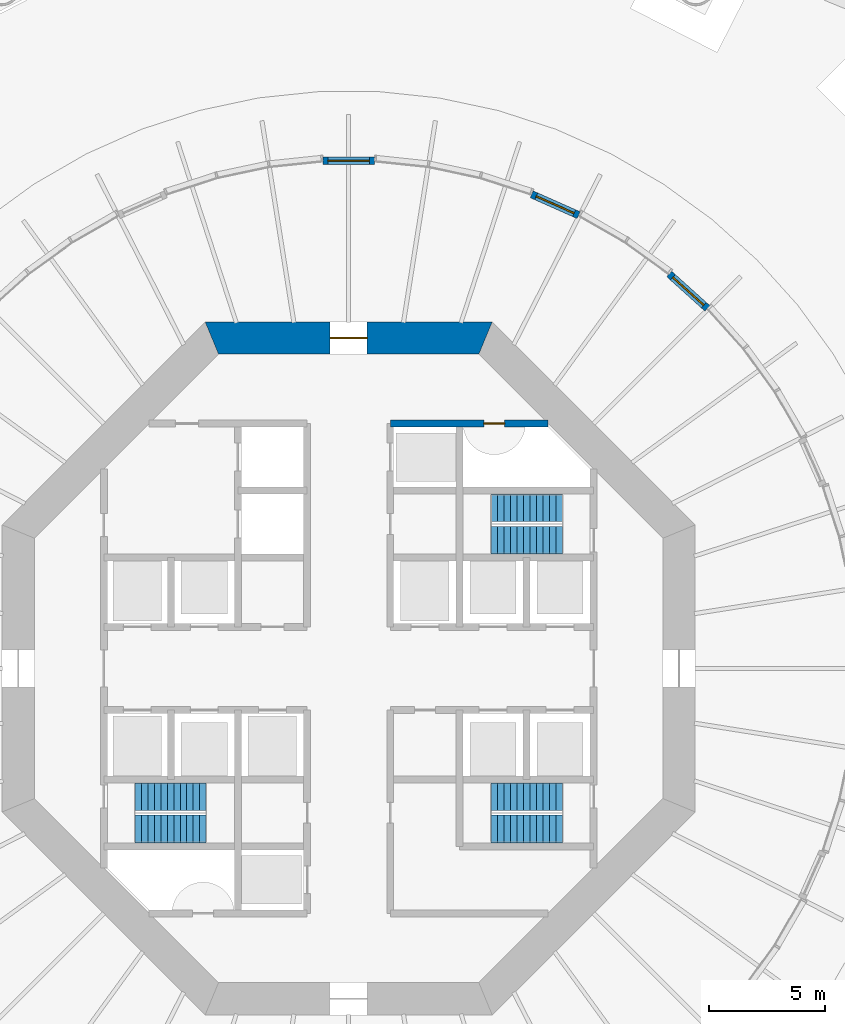
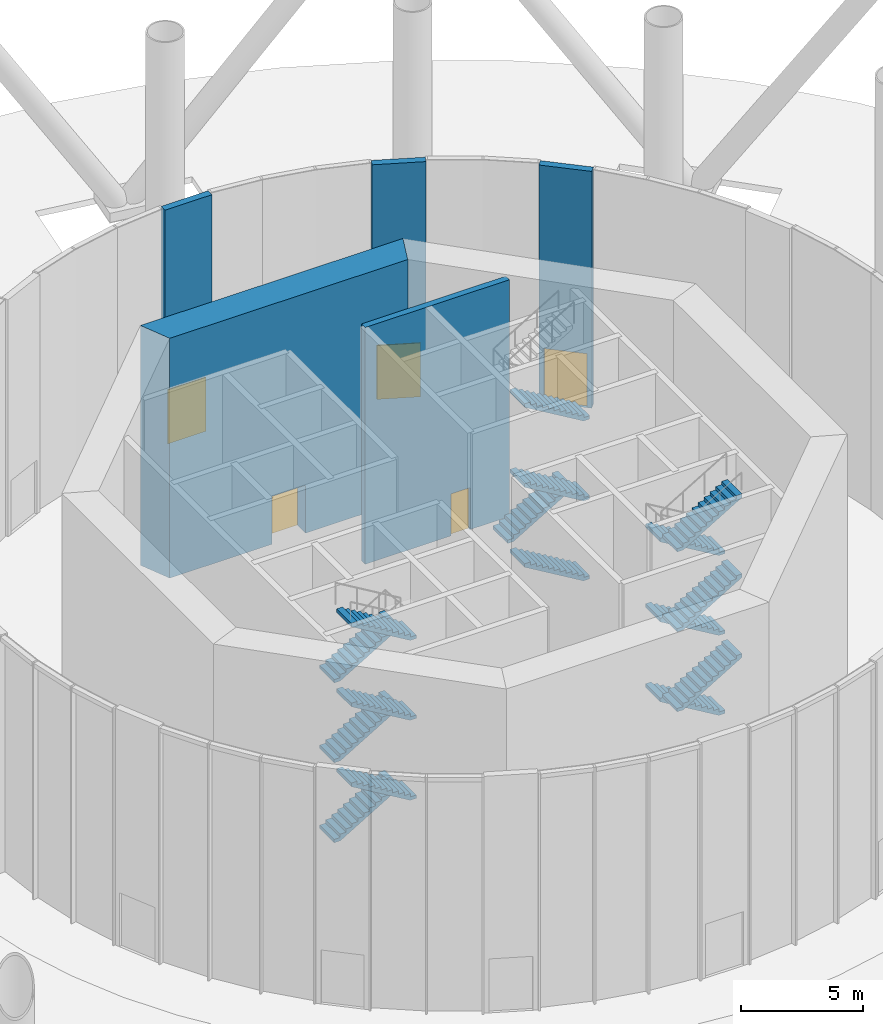
# One storey, part 6 of 12: 16 stair flights, 5 doors, 5 walls, 5 openings, 3 elements without a shape of their own.
"""IFC4 building model written with IfcOpenShell, lengths in metres."""

from ifc_helpers import new_model, si_unit, direction, frame, frame_2d, origin, place, context, subcontext, project, spatial, polyline, rectangle, outline, extrude, material, layer, layer_set, type_object, element, fill, aggregate, save


model = new_model("IFC4")

# Units and contexts
model_context = context("Model", 3, precision=1e-05, world=origin(), true_north=direction((0.0, 1.0)))
body_context = subcontext(model_context, "Body", "Model", "MODEL_VIEW")
ifc_project = project(units=[si_unit("LENGTHUNIT", "METRE"), si_unit("AREAUNIT", "SQUARE_METRE"), si_unit("VOLUMEUNIT", "CUBIC_METRE"), si_unit("PLANEANGLEUNIT", "RADIAN"), si_unit("MASSUNIT", "GRAM", prefix="KILO")], contexts=[model_context])

# Site, building, storey
site_placement = place(None, origin())
site = spatial("IfcSite", under=ifc_project, at=site_placement, CompositionType="ELEMENT")
building_placement = place(site_placement, origin())
building = spatial("IfcBuilding", under=site, at=building_placement, Name="Entoto Ring Tower", CompositionType="ELEMENT")
storey_placement = place(building_placement, origin())
storey = spatial("IfcBuildingStorey", under=building, at=storey_placement, Name="L00", CompositionType="ELEMENT", Elevation=0.0)

# Wall, opening, door
ifc_material_1 = material(Name="Concrete C40/50", Category="concrete")
ifc_layer_1 = layer(ifc_material_1, 0.300048828125)
ifc_layer_set_1 = layer_set([ifc_layer_1], Name="Concrete C40/50")
wall_type_1 = type_object("IfcWallType", Name="Core enclosure wall 300 mm reinforced concrete", PredefinedType="SOLIDWALL", material=ifc_layer_set_1)
wall_1_placement = place(storey_placement, frame((91.800048828125, 90.60009765625, 0.0), z_axis=(0.0, 0.0, 1.0), x_axis=(1.0, 0.0, 0.0)))
wall_1 = element("IfcWall", 1, at=wall_1_placement, inside=storey, type_object=wall_type_1, Name="wall-L00-030", PredefinedType="SOLIDWALL", context=body_context, shape_type="SweptSolid", body=[
    extrude(rectangle(XDim=6.833251953125, YDim=0.300048828125, at=frame_2d((3.41650390625, 0.0))), origin(), (0.0, 0.0, 1.0), 11.85009765625),
])
opening_1_placement = place(wall_1_placement, frame((4.050048828125, 0.0, 0.0)))
opening_1 = element("IfcOpeningElement", 2, at=opening_1_placement, cuts=wall_1, Name="Opening K-75", PredefinedType="OPENING", context=body_context, shape_type="SweptSolid", body=[
    extrude(rectangle(XDim=0.89990234375, YDim=2.10009765625, at=frame_2d((0.449951171875, 1.050048828125))), frame((0.0, 0.16015625, 0.0), z_axis=(0.0, -1.0, 0.0), x_axis=(1.0, 0.0, 0.0)), (0.0, 0.0, 1.0), 0.320068359375),
])
ifc_material_2 = material(Name="Steel door leaf, fire rated", Category="steel")
ifc_layer_2 = layer(ifc_material_2, 0.050048828125)
ifc_layer_set_2 = layer_set([ifc_layer_2], Name="Steel door leaf, fire rated")
door_type_1 = type_object("IfcDoorType", Name="Riser door FD60 900 x 2100 single leaf", OperationType="NOTDEFINED", PredefinedType="DOOR", material=ifc_layer_set_2)
door_1_placement = place(opening_1_placement, frame((0.89990234375, 0.0, 0.0), z_axis=(0.0, 0.0, 1.0), x_axis=(-1.0, 0.0, 0.0)))
door_1 = element("IfcDoor", 3, at=door_1_placement, inside=storey, type_object=door_type_1, Name="Door K-75", OperationType="SINGLE_SWING_RIGHT", OverallHeight=2.10009765625, OverallWidth=0.89990234375, PredefinedType="DOOR", context=body_context, shape_type="SweptSolid", body=[
    extrude(rectangle(XDim=0.89990234375, YDim=2.10009765625, at=frame_2d((0.449951171875, 1.050048828125))), frame((0.0, 0.02490234375, 0.0), z_axis=(0.0, -1.0, 0.0), x_axis=(1.0, 0.0, 0.0)), (0.0, 0.0, 1.0), 0.050048828125),
])
fill(opening_1, door_1)

ifc_material_3 = material(Name="Concrete C60/75", Category="concrete")
ifc_layer_3 = layer(ifc_material_3, 1.39990234375)
ifc_layer_set_3 = layer_set([ifc_layer_3], Name="Concrete C60/75")
wall_type_2 = type_object("IfcWallType", Name="Core shear wall 1400 mm reinforced concrete C60/75", PredefinedType="SHEAR", material=ifc_layer_set_3)
wall_2_placement = place(storey_placement, frame((95.92333984375, 94.300048828125, 0.0), z_axis=(0.0, 0.0, 1.0), x_axis=(-1.0, 0.0, 0.0)))
wall_2 = element("IfcWall", 4, at=wall_2_placement, inside=storey, type_object=wall_type_2, Name="wall-L00-core-2", PredefinedType="SHEAR", context=body_context, shape_type="SweptSolid", body=[
    extrude(outline(polyline([(-0.2900390625, -0.699951171875), (12.13671875, -0.699951171875), (11.556640625, 0.699951171875), (0.2900390625, 0.699951171875), (-0.2900390625, -0.699951171875)])), origin(), (0.0, 0.0, 1.0), 12.0),
])
opening_2_placement = place(wall_2_placement, frame((5.123291015625, 0.0, 0.0)))
opening_2 = element("IfcOpeningElement", 5, at=opening_2_placement, cuts=wall_2, Name="Opening K-02", PredefinedType="OPENING", context=body_context, shape_type="SweptSolid", body=[
    extrude(rectangle(XDim=1.60009765625, YDim=2.39990234375, at=frame_2d((0.800048828125, 1.199951171875))), frame((0.0, 0.7099609375, 0.0), z_axis=(0.0, -1.0, 0.0), x_axis=(1.0, 0.0, 0.0)), (0.0, 0.0, 1.0), 1.419921875),
])
ifc_material_4 = material(Name="Steel door leaf, fire rated", Category="steel")
ifc_layer_4 = layer(ifc_material_4, 0.050048828125)
ifc_layer_set_4 = layer_set([ifc_layer_4], Name="Steel door leaf, fire rated")
door_type_2 = type_object("IfcDoorType", Name="Entrance door FD60 1600 x 2400 double leaf", OperationType="DOUBLE_DOOR_SINGLE_SWING", PredefinedType="DOOR", material=ifc_layer_set_4)
door_2_placement = place(opening_2_placement, origin())
door_2 = element("IfcDoor", 6, at=door_2_placement, inside=storey, type_object=door_type_2, Name="Entrance door K-02", OperationType="DOUBLE_DOOR_SINGLE_SWING", OverallHeight=2.39990234375, OverallWidth=1.60009765625, PredefinedType="DOOR", context=body_context, shape_type="SweptSolid", body=[
    extrude(rectangle(XDim=1.60009765625, YDim=2.39990234375, at=frame_2d((0.800048828125, 1.199951171875))), frame((0.0, 0.02490234375, 0.0), z_axis=(0.0, -1.0, 0.0), x_axis=(1.0, 0.0, 0.0)), (0.0, 0.0, 1.0), 0.050048828125),
])
fill(opening_2, door_2)

ifc_material_5 = material(Name="Trachyte stone cladding", Category="masonry")
ifc_layer_5 = layer(ifc_material_5, 0.06005859375)
ifc_material_6 = material(Name="Concrete C40/50", Category="concrete")
ifc_layer_6 = layer(ifc_material_6, 0.260009765625)
ifc_layer_set_5 = layer_set([ifc_layer_5, ifc_layer_6], Name="Trachyte stone cladding")
wall_type_3 = type_object("IfcWallType", Name="Entrance pier 320 mm trachyte-clad", PredefinedType="STANDARD", material=ifc_layer_set_5)
wall_3_placement = place(storey_placement, frame((105.526611328125, 95.5830078125, 0.0), z_axis=(0.0, 0.0, 1.0), x_axis=(-0.743097515625, 0.669183145537, 0.0)))
wall_3 = element("IfcWall", 7, at=wall_3_placement, inside=storey, type_object=wall_type_3, Name="ENTRANCE PIER 2", PredefinedType="STANDARD", context=body_context, shape_type="SweptSolid", body=[
    extrude(rectangle(XDim=2.222900390625, YDim=0.320068359375, at=frame_2d((1.111328125, 0.0))), origin(), (0.0, 0.0, 1.0), 11.85009765625),
])
opening_3_placement = place(wall_3_placement, frame((0.21142578125, 0.0, 0.0)))
opening_3 = element("IfcOpeningElement", 8, at=opening_3_placement, cuts=wall_3, Name="Opening E2", PredefinedType="OPENING", context=body_context, shape_type="SweptSolid", body=[
    extrude(rectangle(XDim=1.800048828125, YDim=2.699951171875, at=frame_2d((0.89990234375, 1.35009765625))), frame((0.0, 0.169921875, 0.0), z_axis=(0.0, -1.0, 0.0), x_axis=(1.0, 0.0, 0.0)), (0.0, 0.0, 1.0), 0.340087890625),
])
ifc_material_7 = material(Name="Anodised aluminium frame with toughened clear glass", Category="aluminium")
door_type_3 = type_object("IfcDoorType", Name="Entrance door set 1800 x 2700 mm sliding", OperationType="DOUBLE_DOOR_SLIDING", PredefinedType="DOOR", material=ifc_material_7)
door_3_placement = place(opening_3_placement, frame((1.800048828125, 0.0, 0.0), z_axis=(0.0, 0.0, 1.0), x_axis=(-1.0, 0.0, 0.0)))
door_3 = element("IfcDoor", 9, at=door_3_placement, inside=storey, type_object=door_type_3, Name="ENTRANCE DOOR 2", OperationType="DOUBLE_DOOR_SLIDING", OverallHeight=2.699951171875, OverallWidth=1.800048828125, PredefinedType="DOOR", context=body_context, shape_type="SweptSolid", body=[
    extrude(rectangle(XDim=1.800048828125, YDim=2.699951171875, at=frame_2d((0.89990234375, 1.35009765625))), frame((0.0, 0.02490234375, 0.0), z_axis=(0.0, -1.0, 0.0), x_axis=(1.0, 0.0, 0.0)), (0.0, 0.0, 1.0), 0.050048828125),
])
fill(opening_3, door_3)

wall_4_placement = place(storey_placement, frame((99.951171875, 99.618408203125, 0.0), z_axis=(0.0, 0.0, 1.0), x_axis=(-0.913544109793, 0.406739670382, 0.0)))
wall_4 = element("IfcWall", 10, at=wall_4_placement, inside=storey, type_object=wall_type_3, Name="ENTRANCE PIER 3", PredefinedType="STANDARD", context=body_context, shape_type="SweptSolid", body=[
    extrude(rectangle(XDim=2.22265625, YDim=0.320068359375, at=frame_2d((1.111328125, 0.0))), origin(), (0.0, 0.0, 1.0), 11.85009765625),
])
opening_4_placement = place(wall_4_placement, frame((0.21142578125, 0.0, 0.0)))
opening_4 = element("IfcOpeningElement", 11, at=opening_4_placement, cuts=wall_4, Name="Opening E3", PredefinedType="OPENING", context=body_context, shape_type="SweptSolid", body=[
    extrude(rectangle(XDim=1.800048828125, YDim=2.699951171875, at=frame_2d((0.89990234375, 1.35009765625))), frame((0.0, 0.169921875, 0.0), z_axis=(0.0, -1.0, 0.0), x_axis=(1.0, 0.0, 0.0)), (0.0, 0.0, 1.0), 0.340087890625),
])
door_4_placement = place(opening_4_placement, frame((1.800048828125, 0.0, 0.0), z_axis=(0.0, 0.0, 1.0), x_axis=(-1.0, 0.0, 0.0)))
door_4 = element("IfcDoor", 12, at=door_4_placement, inside=storey, type_object=door_type_3, Name="ENTRANCE DOOR 3", OperationType="DOUBLE_DOOR_SLIDING", OverallHeight=2.699951171875, OverallWidth=1.800048828125, PredefinedType="DOOR", context=body_context, shape_type="SweptSolid", body=[
    extrude(rectangle(XDim=1.800048828125, YDim=2.699951171875, at=frame_2d((0.89990234375, 1.35009765625))), frame((0.0, 0.02490234375, 0.0), z_axis=(0.0, -1.0, 0.0), x_axis=(1.0, 0.0, 0.0)), (0.0, 0.0, 1.0), 0.050048828125),
])
fill(opening_4, door_4)

wall_5_placement = place(storey_placement, frame((91.111328125, 101.969970703125, 0.0), z_axis=(0.0, 0.0, 1.0), x_axis=(-1.0, 0.0, 0.0)))
wall_5 = element("IfcWall", 13, at=wall_5_placement, inside=storey, type_object=wall_type_3, Name="ENTRANCE PIER 4", PredefinedType="STANDARD", context=body_context, shape_type="SweptSolid", body=[
    extrude(rectangle(XDim=2.22265625, YDim=0.320068359375, at=frame_2d((1.111328125, 0.0))), origin(), (0.0, 0.0, 1.0), 11.85009765625),
])
opening_5_placement = place(wall_5_placement, frame((0.21142578125, 0.0, 0.0)))
opening_5 = element("IfcOpeningElement", 14, at=opening_5_placement, cuts=wall_5, Name="Opening E4", PredefinedType="OPENING", context=body_context, shape_type="SweptSolid", body=[
    extrude(rectangle(XDim=1.800048828125, YDim=2.699951171875, at=frame_2d((0.89990234375, 1.35009765625))), frame((0.0, 0.169921875, 0.0), z_axis=(0.0, -1.0, 0.0), x_axis=(1.0, 0.0, 0.0)), (0.0, 0.0, 1.0), 0.340087890625),
])
door_5_placement = place(opening_5_placement, frame((1.800048828125, 0.0, 0.0), z_axis=(0.0, 0.0, 1.0), x_axis=(-1.0, 0.0, 0.0)))
door_5 = element("IfcDoor", 15, at=door_5_placement, inside=storey, type_object=door_type_3, Name="ENTRANCE DOOR 4", OperationType="DOUBLE_DOOR_SLIDING", OverallHeight=2.699951171875, OverallWidth=1.800048828125, PredefinedType="DOOR", context=body_context, shape_type="SweptSolid", body=[
    extrude(rectangle(XDim=1.800048828125, YDim=2.699951171875, at=frame_2d((0.89990234375, 1.35009765625))), frame((0.0, 0.02490234375, 0.0), z_axis=(0.0, -1.0, 0.0), x_axis=(1.0, 0.0, 0.0)), (0.0, 0.0, 1.0), 0.050048828125),
])
fill(opening_5, door_5)

# Stair, stair flights
ifc_material_8 = material(Name="Concrete C40/50", Category="concrete")
stair_type = type_object("IfcStairType", Name="Exit stair 1200 mm dog-leg reinforced concrete", PredefinedType="HALF_TURN_STAIR", material=ifc_material_8)
stair_1_placement = place(storey_placement, origin())
stair_1 = element("IfcStair", 16, at=stair_1_placement, inside=storey, type_object=stair_type, Name="Exit stair 1", PredefinedType="HALF_TURN_STAIR")
ifc_material_9 = material(Name="Concrete C40/50", Category="concrete")
stair_flight_type = type_object("IfcStairFlightType", Name="Stair flight 1200 mm reinforced concrete", PredefinedType="STRAIGHT", material=ifc_material_9)
stair_flight_1_placement = place(storey_placement, frame((99.25, 85.550048828125, 0.0), z_axis=(0.0, 0.0, 1.0), x_axis=(-1.0, 0.0, 0.0)))
stair_flight_1 = element("IfcStairFlight", 17, at=stair_flight_1_placement, type_object=stair_flight_type, Name="ST1 flight 1", NumberOfRisers=12, NumberOfTreads=11, PredefinedType="STRAIGHT", RiserHeight=0.166666667, TreadLength=0.28, context=body_context, shape_type="SweptSolid", body=[
    extrude(outline(polyline([(0.0, 0.0), (0.0, 0.166748046875), (0.280029296875, 0.166748046875), (0.280029296875, 0.333251953125), (0.56005859375, 0.333251953125), (0.56005859375, 0.5), (0.840087890625, 0.5), (0.840087890625, 0.666748046875), (1.1201171875, 0.666748046875), (1.1201171875, 0.833251953125), (1.39990234375, 0.833251953125), (1.39990234375, 1.0), (1.679931640625, 1.0), (1.679931640625, 1.166748046875), (1.9599609375, 1.166748046875), (1.9599609375, 1.333251953125), (2.239990234375, 1.333251953125), (2.239990234375, 1.5), (2.52001953125, 1.5), (2.52001953125, 1.666748046875), (2.800048828125, 1.666748046875), (2.800048828125, 1.833251953125), (3.080078125, 1.833251953125), (3.080078125, 2.0), (3.080078125, 1.658935546875), (0.29296875, 0.0), (0.0, 0.0)])), frame((0.0, 0.60009765625, 0.0), z_axis=(0.0, -1.0, 0.0), x_axis=(1.0, 0.0, 0.0)), (0.0, 0.0, 1.0), 1.199951171875),
])
stair_flight_2_placement = place(storey_placement, frame((96.169921875, 86.949951171875, 2.0), z_axis=(0.0, 0.0, 1.0), x_axis=(1.0, 0.0, 0.0)))
stair_flight_2 = element("IfcStairFlight", 18, at=stair_flight_2_placement, type_object=stair_flight_type, Name="ST1 flight 2", NumberOfRisers=12, NumberOfTreads=11, PredefinedType="STRAIGHT", RiserHeight=0.166666667, TreadLength=0.28, context=body_context, shape_type="SweptSolid", body=[
    extrude(outline(polyline([(0.0, 0.0), (0.0, 0.166748046875), (0.280029296875, 0.166748046875), (0.280029296875, 0.333251953125), (0.56005859375, 0.333251953125), (0.56005859375, 0.5), (0.840087890625, 0.5), (0.840087890625, 0.666748046875), (1.1201171875, 0.666748046875), (1.1201171875, 0.833251953125), (1.39990234375, 0.833251953125), (1.39990234375, 1.0), (1.679931640625, 1.0), (1.679931640625, 1.166748046875), (1.9599609375, 1.166748046875), (1.9599609375, 1.333251953125), (2.239990234375, 1.333251953125), (2.239990234375, 1.5), (2.52001953125, 1.5), (2.52001953125, 1.666748046875), (2.800048828125, 1.666748046875), (2.800048828125, 1.833251953125), (3.080078125, 1.833251953125), (3.080078125, 2.0), (3.080078125, 1.658935546875), (0.29296875, 0.0), (0.0, 0.0)])), frame((0.0, 0.60009765625, 0.0), z_axis=(0.0, -1.0, 0.0), x_axis=(1.0, 0.0, 0.0)), (0.0, 0.0, 1.0), 1.199951171875),
])
stair_flight_3_placement = place(storey_placement, frame((99.25, 85.550048828125, 4.0), z_axis=(0.0, 0.0, 1.0), x_axis=(-1.0, 0.0, 0.0)))
stair_flight_3 = element("IfcStairFlight", 19, at=stair_flight_3_placement, type_object=stair_flight_type, Name="ST1 flight 3", NumberOfRisers=12, NumberOfTreads=11, PredefinedType="STRAIGHT", RiserHeight=0.166666667, TreadLength=0.28, context=body_context, shape_type="SweptSolid", body=[
    extrude(outline(polyline([(0.0, 0.0), (0.0, 0.166748046875), (0.280029296875, 0.166748046875), (0.280029296875, 0.333251953125), (0.56005859375, 0.333251953125), (0.56005859375, 0.5), (0.840087890625, 0.5), (0.840087890625, 0.666748046875), (1.1201171875, 0.666748046875), (1.1201171875, 0.833251953125), (1.39990234375, 0.833251953125), (1.39990234375, 1.0), (1.679931640625, 1.0), (1.679931640625, 1.166748046875), (1.9599609375, 1.166748046875), (1.9599609375, 1.333251953125), (2.239990234375, 1.333251953125), (2.239990234375, 1.5), (2.52001953125, 1.5), (2.52001953125, 1.666748046875), (2.800048828125, 1.666748046875), (2.800048828125, 1.833251953125), (3.080078125, 1.833251953125), (3.080078125, 2.0), (3.080078125, 1.658935546875), (0.29296875, 0.0), (0.0, 0.0)])), frame((0.0, 0.60009765625, 0.0), z_axis=(0.0, -1.0, 0.0), x_axis=(1.0, 0.0, 0.0)), (0.0, 0.0, 1.0), 1.199951171875),
])
stair_flight_4_placement = place(storey_placement, frame((99.25, 85.550048828125, 8.0), z_axis=(0.0, 0.0, 1.0), x_axis=(-1.0, 0.0, 0.0)))
stair_flight_4 = element("IfcStairFlight", 20, at=stair_flight_4_placement, type_object=stair_flight_type, Name="ST1 flight 5", NumberOfRisers=12, NumberOfTreads=11, PredefinedType="STRAIGHT", RiserHeight=0.166666667, TreadLength=0.28, context=body_context, shape_type="SweptSolid", body=[
    extrude(outline(polyline([(0.0, 0.0), (0.0, 0.166748046875), (0.280029296875, 0.166748046875), (0.280029296875, 0.333251953125), (0.56005859375, 0.333251953125), (0.56005859375, 0.5), (0.840087890625, 0.5), (0.840087890625, 0.666748046875), (1.1201171875, 0.666748046875), (1.1201171875, 0.833251953125), (1.39990234375, 0.833251953125), (1.39990234375, 1.0), (1.679931640625, 1.0), (1.679931640625, 1.166748046875), (1.9599609375, 1.166748046875), (1.9599609375, 1.333251953125), (2.239990234375, 1.333251953125), (2.239990234375, 1.5), (2.52001953125, 1.5), (2.52001953125, 1.666748046875), (2.800048828125, 1.666748046875), (2.800048828125, 1.833251953125), (3.080078125, 1.833251953125), (3.080078125, 2.0), (3.080078125, 1.658935546875), (0.29296875, 0.0), (0.0, 0.0)])), frame((0.0, 0.60009765625, 0.0), z_axis=(0.0, -1.0, 0.0), x_axis=(1.0, 0.0, 0.0)), (0.0, 0.0, 1.0), 1.199951171875),
])
aggregate(stair_1, [stair_flight_1, stair_flight_2, stair_flight_3, stair_flight_4])

stair_2_placement = place(storey_placement, origin())
stair_2 = element("IfcStair", 21, at=stair_2_placement, inside=storey, type_object=stair_type, Name="Exit stair 2", PredefinedType="HALF_TURN_STAIR")
stair_flight_5_placement = place(storey_placement, frame((80.75, 74.449951171875, 0.0), z_axis=(0.0, 0.0, 1.0), x_axis=(1.0, 0.0, 0.0)))
stair_flight_5 = element("IfcStairFlight", 22, at=stair_flight_5_placement, type_object=stair_flight_type, Name="ST2 flight 1", NumberOfRisers=12, NumberOfTreads=11, PredefinedType="STRAIGHT", RiserHeight=0.166666667, TreadLength=0.28, context=body_context, shape_type="SweptSolid", body=[
    extrude(outline(polyline([(0.0, 0.0), (0.0, 0.166748046875), (0.280029296875, 0.166748046875), (0.280029296875, 0.333251953125), (0.56005859375, 0.333251953125), (0.56005859375, 0.5), (0.840087890625, 0.5), (0.840087890625, 0.666748046875), (1.1201171875, 0.666748046875), (1.1201171875, 0.833251953125), (1.39990234375, 0.833251953125), (1.39990234375, 1.0), (1.679931640625, 1.0), (1.679931640625, 1.166748046875), (1.9599609375, 1.166748046875), (1.9599609375, 1.333251953125), (2.239990234375, 1.333251953125), (2.239990234375, 1.5), (2.52001953125, 1.5), (2.52001953125, 1.666748046875), (2.800048828125, 1.666748046875), (2.800048828125, 1.833251953125), (3.080078125, 1.833251953125), (3.080078125, 2.0), (3.080078125, 1.658935546875), (0.29296875, 0.0), (0.0, 0.0)])), frame((0.0, 0.60009765625, 0.0), z_axis=(0.0, -1.0, 0.0), x_axis=(1.0, 0.0, 0.0)), (0.0, 0.0, 1.0), 1.199951171875),
])
stair_flight_6_placement = place(storey_placement, frame((83.830078125, 73.050048828125, 2.0), z_axis=(0.0, 0.0, 1.0), x_axis=(-1.0, 0.0, 0.0)))
stair_flight_6 = element("IfcStairFlight", 23, at=stair_flight_6_placement, type_object=stair_flight_type, Name="ST2 flight 2", NumberOfRisers=12, NumberOfTreads=11, PredefinedType="STRAIGHT", RiserHeight=0.166666667, TreadLength=0.28, context=body_context, shape_type="SweptSolid", body=[
    extrude(outline(polyline([(0.0, 0.0), (0.0, 0.166748046875), (0.280029296875, 0.166748046875), (0.280029296875, 0.333251953125), (0.56005859375, 0.333251953125), (0.56005859375, 0.5), (0.840087890625, 0.5), (0.840087890625, 0.666748046875), (1.1201171875, 0.666748046875), (1.1201171875, 0.833251953125), (1.39990234375, 0.833251953125), (1.39990234375, 1.0), (1.679931640625, 1.0), (1.679931640625, 1.166748046875), (1.9599609375, 1.166748046875), (1.9599609375, 1.333251953125), (2.239990234375, 1.333251953125), (2.239990234375, 1.5), (2.52001953125, 1.5), (2.52001953125, 1.666748046875), (2.800048828125, 1.666748046875), (2.800048828125, 1.833251953125), (3.080078125, 1.833251953125), (3.080078125, 2.0), (3.080078125, 1.658935546875), (0.29296875, 0.0), (0.0, 0.0)])), frame((0.0, 0.60009765625, 0.0), z_axis=(0.0, -1.0, 0.0), x_axis=(1.0, 0.0, 0.0)), (0.0, 0.0, 1.0), 1.199951171875),
])
stair_flight_7_placement = place(storey_placement, frame((80.75, 74.449951171875, 4.0), z_axis=(0.0, 0.0, 1.0), x_axis=(1.0, 0.0, 0.0)))
stair_flight_7 = element("IfcStairFlight", 24, at=stair_flight_7_placement, type_object=stair_flight_type, Name="ST2 flight 3", NumberOfRisers=12, NumberOfTreads=11, PredefinedType="STRAIGHT", RiserHeight=0.166666667, TreadLength=0.28, context=body_context, shape_type="SweptSolid", body=[
    extrude(outline(polyline([(0.0, 0.0), (0.0, 0.166748046875), (0.280029296875, 0.166748046875), (0.280029296875, 0.333251953125), (0.56005859375, 0.333251953125), (0.56005859375, 0.5), (0.840087890625, 0.5), (0.840087890625, 0.666748046875), (1.1201171875, 0.666748046875), (1.1201171875, 0.833251953125), (1.39990234375, 0.833251953125), (1.39990234375, 1.0), (1.679931640625, 1.0), (1.679931640625, 1.166748046875), (1.9599609375, 1.166748046875), (1.9599609375, 1.333251953125), (2.239990234375, 1.333251953125), (2.239990234375, 1.5), (2.52001953125, 1.5), (2.52001953125, 1.666748046875), (2.800048828125, 1.666748046875), (2.800048828125, 1.833251953125), (3.080078125, 1.833251953125), (3.080078125, 2.0), (3.080078125, 1.658935546875), (0.29296875, 0.0), (0.0, 0.0)])), frame((0.0, 0.60009765625, 0.0), z_axis=(0.0, -1.0, 0.0), x_axis=(1.0, 0.0, 0.0)), (0.0, 0.0, 1.0), 1.199951171875),
])
stair_flight_8_placement = place(storey_placement, frame((83.830078125, 73.050048828125, 6.0), z_axis=(0.0, 0.0, 1.0), x_axis=(-1.0, 0.0, 0.0)))
stair_flight_8 = element("IfcStairFlight", 25, at=stair_flight_8_placement, type_object=stair_flight_type, Name="ST2 flight 4", NumberOfRisers=12, NumberOfTreads=11, PredefinedType="STRAIGHT", RiserHeight=0.166666667, TreadLength=0.28, context=body_context, shape_type="SweptSolid", body=[
    extrude(outline(polyline([(0.0, 0.0), (0.0, 0.166748046875), (0.280029296875, 0.166748046875), (0.280029296875, 0.333251953125), (0.56005859375, 0.333251953125), (0.56005859375, 0.5), (0.840087890625, 0.5), (0.840087890625, 0.666748046875), (1.1201171875, 0.666748046875), (1.1201171875, 0.833251953125), (1.39990234375, 0.833251953125), (1.39990234375, 1.0), (1.679931640625, 1.0), (1.679931640625, 1.166748046875), (1.9599609375, 1.166748046875), (1.9599609375, 1.333251953125), (2.239990234375, 1.333251953125), (2.239990234375, 1.5), (2.52001953125, 1.5), (2.52001953125, 1.666748046875), (2.800048828125, 1.666748046875), (2.800048828125, 1.833251953125), (3.080078125, 1.833251953125), (3.080078125, 2.0), (3.080078125, 1.658935546875), (0.29296875, 0.0), (0.0, 0.0)])), frame((0.0, 0.60009765625, 0.0), z_axis=(0.0, -1.0, 0.0), x_axis=(1.0, 0.0, 0.0)), (0.0, 0.0, 1.0), 1.199951171875),
])
stair_flight_9_placement = place(storey_placement, frame((80.75, 74.449951171875, 8.0), z_axis=(0.0, 0.0, 1.0), x_axis=(1.0, 0.0, 0.0)))
stair_flight_9 = element("IfcStairFlight", 26, at=stair_flight_9_placement, type_object=stair_flight_type, Name="ST2 flight 5", NumberOfRisers=12, NumberOfTreads=11, PredefinedType="STRAIGHT", RiserHeight=0.166666667, TreadLength=0.28, context=body_context, shape_type="SweptSolid", body=[
    extrude(outline(polyline([(0.0, 0.0), (0.0, 0.166748046875), (0.280029296875, 0.166748046875), (0.280029296875, 0.333251953125), (0.56005859375, 0.333251953125), (0.56005859375, 0.5), (0.840087890625, 0.5), (0.840087890625, 0.666748046875), (1.1201171875, 0.666748046875), (1.1201171875, 0.833251953125), (1.39990234375, 0.833251953125), (1.39990234375, 1.0), (1.679931640625, 1.0), (1.679931640625, 1.166748046875), (1.9599609375, 1.166748046875), (1.9599609375, 1.333251953125), (2.239990234375, 1.333251953125), (2.239990234375, 1.5), (2.52001953125, 1.5), (2.52001953125, 1.666748046875), (2.800048828125, 1.666748046875), (2.800048828125, 1.833251953125), (3.080078125, 1.833251953125), (3.080078125, 2.0), (3.080078125, 1.658935546875), (0.29296875, 0.0), (0.0, 0.0)])), frame((0.0, 0.60009765625, 0.0), z_axis=(0.0, -1.0, 0.0), x_axis=(1.0, 0.0, 0.0)), (0.0, 0.0, 1.0), 1.199951171875),
])
stair_flight_10_placement = place(storey_placement, frame((83.830078125, 73.050048828125, 10.0), z_axis=(0.0, 0.0, 1.0), x_axis=(-1.0, 0.0, 0.0)))
stair_flight_10 = element("IfcStairFlight", 27, at=stair_flight_10_placement, type_object=stair_flight_type, Name="ST2 flight 6", NumberOfRisers=12, NumberOfTreads=11, PredefinedType="STRAIGHT", RiserHeight=0.166666667, TreadLength=0.28, context=body_context, shape_type="SweptSolid", body=[
    extrude(outline(polyline([(0.0, 0.0), (0.0, 0.166748046875), (0.280029296875, 0.166748046875), (0.280029296875, 0.333251953125), (0.56005859375, 0.333251953125), (0.56005859375, 0.5), (0.840087890625, 0.5), (0.840087890625, 0.666748046875), (1.1201171875, 0.666748046875), (1.1201171875, 0.833251953125), (1.39990234375, 0.833251953125), (1.39990234375, 1.0), (1.679931640625, 1.0), (1.679931640625, 1.166748046875), (1.9599609375, 1.166748046875), (1.9599609375, 1.333251953125), (2.239990234375, 1.333251953125), (2.239990234375, 1.5), (2.52001953125, 1.5), (2.52001953125, 1.666748046875), (2.800048828125, 1.666748046875), (2.800048828125, 1.833251953125), (3.080078125, 1.833251953125), (3.080078125, 2.0), (3.080078125, 1.658935546875), (0.29296875, 0.0), (0.0, 0.0)])), frame((0.0, 0.60009765625, 0.0), z_axis=(0.0, -1.0, 0.0), x_axis=(1.0, 0.0, 0.0)), (0.0, 0.0, 1.0), 1.199951171875),
])
aggregate(stair_2, [stair_flight_5, stair_flight_6, stair_flight_7, stair_flight_8, stair_flight_9, stair_flight_10])

stair_3_placement = place(storey_placement, origin())
stair_3 = element("IfcStair", 28, at=stair_3_placement, inside=storey, type_object=stair_type, Name="Exit stair 3", PredefinedType="HALF_TURN_STAIR")
stair_flight_11_placement = place(storey_placement, frame((99.25, 74.449951171875, 0.0), z_axis=(0.0, 0.0, 1.0), x_axis=(-1.0, 0.0, 0.0)))
stair_flight_11 = element("IfcStairFlight", 29, at=stair_flight_11_placement, type_object=stair_flight_type, Name="ST3 flight 1", NumberOfRisers=12, NumberOfTreads=11, PredefinedType="STRAIGHT", RiserHeight=0.166666667, TreadLength=0.28, context=body_context, shape_type="SweptSolid", body=[
    extrude(outline(polyline([(0.0, 0.0), (0.0, 0.166748046875), (0.280029296875, 0.166748046875), (0.280029296875, 0.333251953125), (0.56005859375, 0.333251953125), (0.56005859375, 0.5), (0.840087890625, 0.5), (0.840087890625, 0.666748046875), (1.1201171875, 0.666748046875), (1.1201171875, 0.833251953125), (1.39990234375, 0.833251953125), (1.39990234375, 1.0), (1.679931640625, 1.0), (1.679931640625, 1.166748046875), (1.9599609375, 1.166748046875), (1.9599609375, 1.333251953125), (2.239990234375, 1.333251953125), (2.239990234375, 1.5), (2.52001953125, 1.5), (2.52001953125, 1.666748046875), (2.800048828125, 1.666748046875), (2.800048828125, 1.833251953125), (3.080078125, 1.833251953125), (3.080078125, 2.0), (3.080078125, 1.658935546875), (0.29296875, 0.0), (0.0, 0.0)])), frame((0.0, 0.60009765625, 0.0), z_axis=(0.0, -1.0, 0.0), x_axis=(1.0, 0.0, 0.0)), (0.0, 0.0, 1.0), 1.199951171875),
])
stair_flight_12_placement = place(storey_placement, frame((96.169921875, 73.050048828125, 2.0), z_axis=(0.0, 0.0, 1.0), x_axis=(1.0, 0.0, 0.0)))
stair_flight_12 = element("IfcStairFlight", 30, at=stair_flight_12_placement, type_object=stair_flight_type, Name="ST3 flight 2", NumberOfRisers=12, NumberOfTreads=11, PredefinedType="STRAIGHT", RiserHeight=0.166666667, TreadLength=0.28, context=body_context, shape_type="SweptSolid", body=[
    extrude(outline(polyline([(0.0, 0.0), (0.0, 0.166748046875), (0.280029296875, 0.166748046875), (0.280029296875, 0.333251953125), (0.56005859375, 0.333251953125), (0.56005859375, 0.5), (0.840087890625, 0.5), (0.840087890625, 0.666748046875), (1.1201171875, 0.666748046875), (1.1201171875, 0.833251953125), (1.39990234375, 0.833251953125), (1.39990234375, 1.0), (1.679931640625, 1.0), (1.679931640625, 1.166748046875), (1.9599609375, 1.166748046875), (1.9599609375, 1.333251953125), (2.239990234375, 1.333251953125), (2.239990234375, 1.5), (2.52001953125, 1.5), (2.52001953125, 1.666748046875), (2.800048828125, 1.666748046875), (2.800048828125, 1.833251953125), (3.080078125, 1.833251953125), (3.080078125, 2.0), (3.080078125, 1.658935546875), (0.29296875, 0.0), (0.0, 0.0)])), frame((0.0, 0.60009765625, 0.0), z_axis=(0.0, -1.0, 0.0), x_axis=(1.0, 0.0, 0.0)), (0.0, 0.0, 1.0), 1.199951171875),
])
stair_flight_13_placement = place(storey_placement, frame((99.25, 74.449951171875, 4.0), z_axis=(0.0, 0.0, 1.0), x_axis=(-1.0, 0.0, 0.0)))
stair_flight_13 = element("IfcStairFlight", 31, at=stair_flight_13_placement, type_object=stair_flight_type, Name="ST3 flight 3", NumberOfRisers=12, NumberOfTreads=11, PredefinedType="STRAIGHT", RiserHeight=0.166666667, TreadLength=0.28, context=body_context, shape_type="SweptSolid", body=[
    extrude(outline(polyline([(0.0, 0.0), (0.0, 0.166748046875), (0.280029296875, 0.166748046875), (0.280029296875, 0.333251953125), (0.56005859375, 0.333251953125), (0.56005859375, 0.5), (0.840087890625, 0.5), (0.840087890625, 0.666748046875), (1.1201171875, 0.666748046875), (1.1201171875, 0.833251953125), (1.39990234375, 0.833251953125), (1.39990234375, 1.0), (1.679931640625, 1.0), (1.679931640625, 1.166748046875), (1.9599609375, 1.166748046875), (1.9599609375, 1.333251953125), (2.239990234375, 1.333251953125), (2.239990234375, 1.5), (2.52001953125, 1.5), (2.52001953125, 1.666748046875), (2.800048828125, 1.666748046875), (2.800048828125, 1.833251953125), (3.080078125, 1.833251953125), (3.080078125, 2.0), (3.080078125, 1.658935546875), (0.29296875, 0.0), (0.0, 0.0)])), frame((0.0, 0.60009765625, 0.0), z_axis=(0.0, -1.0, 0.0), x_axis=(1.0, 0.0, 0.0)), (0.0, 0.0, 1.0), 1.199951171875),
])
stair_flight_14_placement = place(storey_placement, frame((96.169921875, 73.050048828125, 6.0), z_axis=(0.0, 0.0, 1.0), x_axis=(1.0, 0.0, 0.0)))
stair_flight_14 = element("IfcStairFlight", 32, at=stair_flight_14_placement, type_object=stair_flight_type, Name="ST3 flight 4", NumberOfRisers=12, NumberOfTreads=11, PredefinedType="STRAIGHT", RiserHeight=0.166666667, TreadLength=0.28, context=body_context, shape_type="SweptSolid", body=[
    extrude(outline(polyline([(0.0, 0.0), (0.0, 0.166748046875), (0.280029296875, 0.166748046875), (0.280029296875, 0.333251953125), (0.56005859375, 0.333251953125), (0.56005859375, 0.5), (0.840087890625, 0.5), (0.840087890625, 0.666748046875), (1.1201171875, 0.666748046875), (1.1201171875, 0.833251953125), (1.39990234375, 0.833251953125), (1.39990234375, 1.0), (1.679931640625, 1.0), (1.679931640625, 1.166748046875), (1.9599609375, 1.166748046875), (1.9599609375, 1.333251953125), (2.239990234375, 1.333251953125), (2.239990234375, 1.5), (2.52001953125, 1.5), (2.52001953125, 1.666748046875), (2.800048828125, 1.666748046875), (2.800048828125, 1.833251953125), (3.080078125, 1.833251953125), (3.080078125, 2.0), (3.080078125, 1.658935546875), (0.29296875, 0.0), (0.0, 0.0)])), frame((0.0, 0.60009765625, 0.0), z_axis=(0.0, -1.0, 0.0), x_axis=(1.0, 0.0, 0.0)), (0.0, 0.0, 1.0), 1.199951171875),
])
stair_flight_15_placement = place(storey_placement, frame((99.25, 74.449951171875, 8.0), z_axis=(0.0, 0.0, 1.0), x_axis=(-1.0, 0.0, 0.0)))
stair_flight_15 = element("IfcStairFlight", 33, at=stair_flight_15_placement, type_object=stair_flight_type, Name="ST3 flight 5", NumberOfRisers=12, NumberOfTreads=11, PredefinedType="STRAIGHT", RiserHeight=0.166666667, TreadLength=0.28, context=body_context, shape_type="SweptSolid", body=[
    extrude(outline(polyline([(0.0, 0.0), (0.0, 0.166748046875), (0.280029296875, 0.166748046875), (0.280029296875, 0.333251953125), (0.56005859375, 0.333251953125), (0.56005859375, 0.5), (0.840087890625, 0.5), (0.840087890625, 0.666748046875), (1.1201171875, 0.666748046875), (1.1201171875, 0.833251953125), (1.39990234375, 0.833251953125), (1.39990234375, 1.0), (1.679931640625, 1.0), (1.679931640625, 1.166748046875), (1.9599609375, 1.166748046875), (1.9599609375, 1.333251953125), (2.239990234375, 1.333251953125), (2.239990234375, 1.5), (2.52001953125, 1.5), (2.52001953125, 1.666748046875), (2.800048828125, 1.666748046875), (2.800048828125, 1.833251953125), (3.080078125, 1.833251953125), (3.080078125, 2.0), (3.080078125, 1.658935546875), (0.29296875, 0.0), (0.0, 0.0)])), frame((0.0, 0.60009765625, 0.0), z_axis=(0.0, -1.0, 0.0), x_axis=(1.0, 0.0, 0.0)), (0.0, 0.0, 1.0), 1.199951171875),
])
stair_flight_16_placement = place(storey_placement, frame((96.169921875, 73.050048828125, 10.0), z_axis=(0.0, 0.0, 1.0), x_axis=(1.0, 0.0, 0.0)))
stair_flight_16 = element("IfcStairFlight", 34, at=stair_flight_16_placement, type_object=stair_flight_type, Name="ST3 flight 6", NumberOfRisers=12, NumberOfTreads=11, PredefinedType="STRAIGHT", RiserHeight=0.166666667, TreadLength=0.28, context=body_context, shape_type="SweptSolid", body=[
    extrude(outline(polyline([(0.0, 0.0), (0.0, 0.166748046875), (0.280029296875, 0.166748046875), (0.280029296875, 0.333251953125), (0.56005859375, 0.333251953125), (0.56005859375, 0.5), (0.840087890625, 0.5), (0.840087890625, 0.666748046875), (1.1201171875, 0.666748046875), (1.1201171875, 0.833251953125), (1.39990234375, 0.833251953125), (1.39990234375, 1.0), (1.679931640625, 1.0), (1.679931640625, 1.166748046875), (1.9599609375, 1.166748046875), (1.9599609375, 1.333251953125), (2.239990234375, 1.333251953125), (2.239990234375, 1.5), (2.52001953125, 1.5), (2.52001953125, 1.666748046875), (2.800048828125, 1.666748046875), (2.800048828125, 1.833251953125), (3.080078125, 1.833251953125), (3.080078125, 2.0), (3.080078125, 1.658935546875), (0.29296875, 0.0), (0.0, 0.0)])), frame((0.0, 0.60009765625, 0.0), z_axis=(0.0, -1.0, 0.0), x_axis=(1.0, 0.0, 0.0)), (0.0, 0.0, 1.0), 1.199951171875),
])
aggregate(stair_3, [stair_flight_11, stair_flight_12, stair_flight_13, stair_flight_14, stair_flight_15, stair_flight_16])

save(model, "model.ifc")
